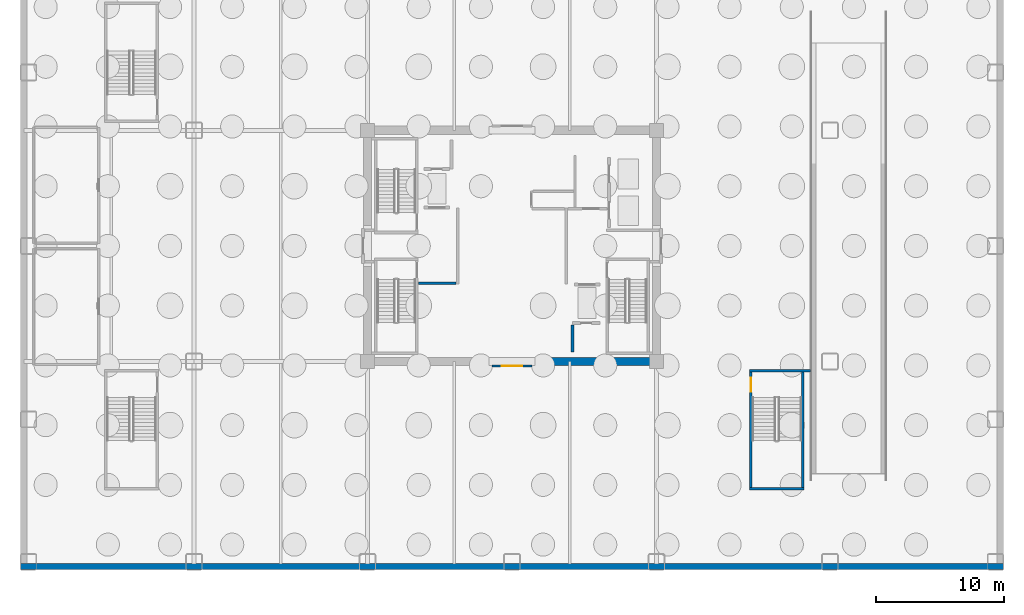
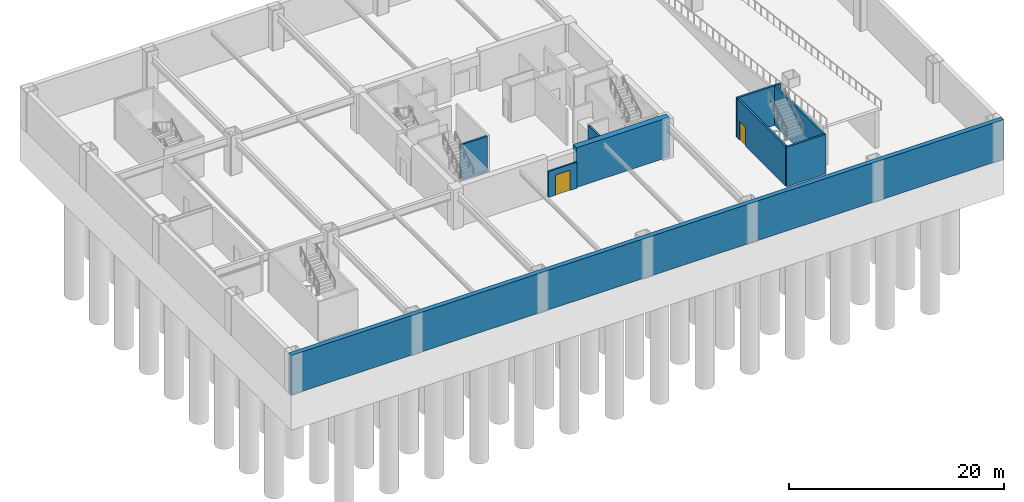
# One storey, part 4 of 11: 9 walls, 2 doors, 2 openings.
"""IFC4 building model written with IfcOpenShell, lengths in metres."""

from ifc_helpers import new_model, si_unit, direction, frame, frame_2d, origin, place, context, subcontext, project, spatial, rectangle, extrude, source, transform, mapped, material, layer, layer_set, type_object, element, fill, save


model = new_model("IFC4")

# Units and contexts
model_context = context("Model", 3, precision=1e-05, world=origin(), true_north=direction((0.0, 1.0)))
body_context = subcontext(model_context, "Body", "Model", "MODEL_VIEW")
ifc_project = project(units=[si_unit("LENGTHUNIT", "METRE"), si_unit("AREAUNIT", "SQUARE_METRE"), si_unit("VOLUMEUNIT", "CUBIC_METRE"), si_unit("PLANEANGLEUNIT", "RADIAN"), si_unit("MASSUNIT", "GRAM", prefix="KILO")], contexts=[model_context])

# Site, building, storey
site_placement = place(None, origin())
site = spatial("IfcSite", under=ifc_project, at=site_placement, CompositionType="ELEMENT")
building_placement = place(site_placement, origin())
building = spatial("IfcBuilding", under=site, at=building_placement, Name="Nefas-Gora Pilgrimage Tower", CompositionType="ELEMENT")
storey_placement = place(building_placement, frame((0.0, 0.0, -9.0)))
storey = spatial("IfcBuildingStorey", under=building, at=storey_placement, Name="B02", CompositionType="ELEMENT", Elevation=-9.0)

# Walls
ifc_material_1 = material(Name="Concrete C60/75", Category="concrete")
ifc_layer_1 = layer(ifc_material_1, 0.64990234375)
ifc_layer_set_1 = layer_set([ifc_layer_1], Name="Concrete C60/75")
wall_type_1 = type_object("IfcWallType", Name="SW-CORE-650", PredefinedType="SHEAR", material=ifc_layer_set_1)
shared_shape_1 = source(origin(), body_context, "Body", "SweptSolid", [
    extrude(rectangle(XDim=10.02490234375, YDim=0.64990234375, at=frame_2d((5.012451171875, 0.0))), origin(), (0.0, 0.0, 1.0), 4.5),
])
wall_1_placement = place(storey_placement, frame((1.550048828125, -9.0, 0.0), z_axis=(0.0, 0.0, 1.0), x_axis=(1.0, 0.0, 0.0)))
element("IfcWall", 1, at=wall_1_placement, inside=storey, type_object=wall_type_1, Name="B02 Core Shear Wall S-East", PredefinedType="SHEAR", context=body_context, shape_type="MappedRepresentation", body=[
    mapped(shared_shape_1, transform((0.0, 0.0, 0.0), x_axis=(1.0, 0.0, 0.0), y_axis=(0.0, 1.0, 0.0), z_axis=(0.0, 0.0, 1.0), scale=1.0)),
])
ifc_material_2 = material(Name="Concrete C50/60", Category="concrete")
ifc_layer_2 = layer(ifc_material_2, 0.5)
ifc_layer_set_2 = layer_set([ifc_layer_2], Name="Concrete C50/60")
wall_type_2 = type_object("IfcWallType", Name="RW-BSMT-500", PredefinedType="SOLIDWALL", material=ifc_layer_set_2)
shared_shape_2 = source(origin(), body_context, "Body", "SweptSolid", [
    extrude(rectangle(XDim=76.5, YDim=0.5, at=frame_2d((38.25, 0.0))), origin(), (0.0, 0.0, 1.0), 4.5),
])
wall_2_placement = place(storey_placement, frame((-38.25, -24.949951171875, 0.0), z_axis=(0.0, 0.0, 1.0), x_axis=(1.0, 0.0, 0.0)))
element("IfcWall", 2, at=wall_2_placement, inside=storey, type_object=wall_type_2, Name="B02 South Retaining Wall", PredefinedType="SOLIDWALL", context=body_context, shape_type="MappedRepresentation", body=[
    mapped(shared_shape_2, transform((0.0, 0.0, 0.0), x_axis=(1.0, 0.0, 0.0), y_axis=(0.0, 1.0, 0.0), z_axis=(0.0, 0.0, 1.0), scale=1.0)),
])
ifc_material_3 = material(Name="Concrete C45/55", Category="concrete")
ifc_layer_3 = layer(ifc_material_3, 0.199951171875)
ifc_layer_set_3 = layer_set([ifc_layer_3], Name="Concrete C45/55")
wall_type_3 = type_object("IfcWallType", Name="IW-STAIR-200", PredefinedType="SOLIDWALL", material=ifc_layer_set_3)
shared_shape_3 = source(origin(), body_context, "Body", "SweptSolid", [
    extrude(rectangle(XDim=4.239990234375, YDim=0.199951171875, at=frame_2d((2.1201171875, 0.0))), origin(), (0.0, 0.0, 1.0), 4.5),
])
wall_3_placement = place(storey_placement, frame((18.5, -18.89990234375, 0.0), z_axis=(0.0, 0.0, 1.0), x_axis=(1.0, 0.0, 0.0)))
element("IfcWall", 3, at=wall_3_placement, inside=storey, type_object=wall_type_3, Name="B02 Stairwell Shear Wall ST-06-far", PredefinedType="SOLIDWALL", context=body_context, shape_type="MappedRepresentation", body=[
    mapped(shared_shape_3, transform((0.0, 0.0, 0.0), x_axis=(1.0, 0.0, 0.0), y_axis=(0.0, 1.0, 0.0), z_axis=(0.0, 0.0, 1.0), scale=1.0)),
])

# Wall, opening, door
shared_shape_4 = source(origin(), body_context, "Body", "SweptSolid", [
    extrude(rectangle(XDim=9.0, YDim=0.199951171875, at=frame_2d((4.5, 0.0))), origin(), (0.0, 0.0, 1.0), 4.5),
])
wall_4_placement = place(storey_placement, frame((18.60009765625, -9.800048828125, 0.0), z_axis=(0.0, 0.0, 1.0), x_axis=(0.0, -1.0, 0.0)))
wall_4 = element("IfcWall", 4, at=wall_4_placement, inside=storey, type_object=wall_type_3, Name="B02 Stairwell Shear Wall ST-06-left", PredefinedType="SOLIDWALL", context=body_context, shape_type="MappedRepresentation", body=[
    mapped(shared_shape_4, transform((0.0, 0.0, 0.0), x_axis=(1.0, 0.0, 0.0), y_axis=(0.0, 1.0, 0.0), z_axis=(0.0, 0.0, 1.0), scale=1.0)),
])
opening_1_placement = place(wall_4_placement, frame((0.449951171875, 0.0, 0.0)))
opening_1 = element("IfcOpeningElement", 5, at=opening_1_placement, cuts=wall_4, Name="Opening ID-ST1", PredefinedType="OPENING", context=body_context, shape_type="SweptSolid", body=[
    extrude(rectangle(XDim=1.10009765625, YDim=2.14990234375, at=frame_2d((0.550048828125, 1.074951171875))), frame((0.0, 0.10986328125, 0.0), z_axis=(0.0, -1.0, 0.0), x_axis=(1.0, 0.0, 0.0)), (0.0, 0.0, 1.0), 0.219970703125),
])
ifc_material_4 = material(Name="Painted galvanised steel fire stair door", Category="steel")
door_type_1 = type_object("IfcDoorType", Name="DR-INT-STAIR-1100", OperationType="NOTDEFINED", PredefinedType="DOOR", material=ifc_material_4)
shared_shape_5 = source(origin(), body_context, "Body", "SweptSolid", [
    extrude(rectangle(XDim=1.10009765625, YDim=2.14990234375, at=frame_2d((0.550048828125, 1.074951171875))), frame((0.0, 0.02490234375, 0.0), z_axis=(0.0, -1.0, 0.0), x_axis=(1.0, 0.0, 0.0)), (0.0, 0.0, 1.0), 0.050048828125),
])
door_1_placement = place(opening_1_placement, origin())
door_1 = element("IfcDoor", 6, at=door_1_placement, inside=storey, type_object=door_type_1, Name="B02 Protected Exit Stair Door ST-06", OperationType="SINGLE_SWING_RIGHT", OverallHeight=2.14990234375, OverallWidth=1.10009765625, PredefinedType="DOOR", context=body_context, shape_type="MappedRepresentation", body=[
    mapped(shared_shape_5, transform((0.0, 0.0, 0.0), x_axis=(1.0, 0.0, 0.0), y_axis=(0.0, 1.0, 0.0), z_axis=(0.0, 0.0, 1.0), scale=1.0)),
])
fill(opening_1, door_1)

# Walls
wall_5_placement = place(storey_placement, frame((22.639892578125, -9.800048828125, 0.0), z_axis=(0.0, 0.0, 1.0), x_axis=(0.0, -1.0, 0.0)))
element("IfcWall", 7, at=wall_5_placement, inside=storey, type_object=wall_type_3, Name="B02 Stairwell Shear Wall ST-06-right", PredefinedType="SOLIDWALL", context=body_context, shape_type="MappedRepresentation", body=[
    mapped(shared_shape_4, transform((0.0, 0.0, 0.0), x_axis=(1.0, 0.0, 0.0), y_axis=(0.0, 1.0, 0.0), z_axis=(0.0, 0.0, 1.0), scale=1.0)),
])
shared_shape_6 = source(origin(), body_context, "Body", "SweptSolid", [
    extrude(rectangle(XDim=4.72998046875, YDim=0.199951171875, at=frame_2d((2.364990234375, 0.0))), origin(), (0.0, 0.0, 1.0), 4.5),
])
wall_6_placement = place(storey_placement, frame((18.5, -9.699951171875, 0.0), z_axis=(0.0, 0.0, 1.0), x_axis=(1.0, 0.0, 0.0)))
element("IfcWall", 8, at=wall_6_placement, inside=storey, type_object=wall_type_3, Name="B02 Stairwell Shear Wall ST-06-near", PredefinedType="SOLIDWALL", context=body_context, shape_type="MappedRepresentation", body=[
    mapped(shared_shape_6, transform((0.0, 0.0, 0.0), x_axis=(1.0, 0.0, 0.0), y_axis=(0.0, 1.0, 0.0), z_axis=(0.0, 0.0, 1.0), scale=1.0)),
])
ifc_material_5 = material(Name="Concrete C40/50", Category="concrete")
ifc_layer_4 = layer(ifc_material_5, 0.219970703125)
ifc_layer_set_4 = layer_set([ifc_layer_4], Name="Concrete C40/50")
wall_type_4 = type_object("IfcWallType", Name="IW-SHAFT-220", PredefinedType="SOLIDWALL", material=ifc_layer_set_4)
shared_shape_7 = source(origin(), body_context, "Body", "SweptSolid", [
    extrude(rectangle(XDim=2.10009765625, YDim=0.219970703125, at=frame_2d((1.050048828125, 0.0))), origin(), (0.0, 0.0, 1.0), 4.06494140625),
])
wall_7_placement = place(storey_placement, frame((4.719970703125, -8.25, 0.0), z_axis=(0.0, 0.0, 1.0), x_axis=(0.0, 1.0, 0.0)))
element("IfcWall", 9, at=wall_7_placement, inside=storey, type_object=wall_type_4, Name="B02 Riser Shaft Wall 4", PredefinedType="SOLIDWALL", context=body_context, shape_type="MappedRepresentation", body=[
    mapped(shared_shape_7, transform((0.0, 0.0, 0.0), x_axis=(1.0, 0.0, 0.0), y_axis=(0.0, 1.0, 0.0), z_axis=(0.0, 0.0, 1.0), scale=1.0)),
])
ifc_material_6 = material(Name="Gypsum fire-rated shaftwall")
ifc_layer_5 = layer(ifc_material_6, 0.199951171875)
ifc_layer_set_5 = layer_set([ifc_layer_5], Name="Gypsum fire-rated shaftwall")
wall_type_5 = type_object("IfcWallType", Name="IW-FFLOB-200", PredefinedType="PARTITIONING", material=ifc_layer_set_5)
shared_shape_8 = source(origin(), body_context, "Body", "SweptSolid", [
    extrude(rectangle(XDim=2.89990234375, YDim=0.199951171875, at=frame_2d((1.449951171875, 0.0))), origin(), (0.0, 0.0, 1.0), 4.06494140625),
])
wall_8_placement = place(storey_placement, frame((-7.260009765625, -2.89990234375, 0.0), z_axis=(0.0, 0.0, 1.0), x_axis=(1.0, 0.0, 0.0)))
element("IfcWall", 10, at=wall_8_placement, inside=storey, type_object=wall_type_5, Name="B02 FF Lobby West South Wall Wall 7", PredefinedType="PARTITIONING", context=body_context, shape_type="MappedRepresentation", body=[
    mapped(shared_shape_8, transform((0.0, 0.0, 0.0), x_axis=(1.0, 0.0, 0.0), y_axis=(0.0, 1.0, 0.0), z_axis=(0.0, 0.0, 1.0), scale=1.0)),
])

# Wall, opening, door
ifc_material_7 = material(Name="Gypsum acoustic stud partition")
ifc_layer_6 = layer(ifc_material_7, 0.159912109375)
ifc_layer_set_6 = layer_set([ifc_layer_6], Name="Gypsum acoustic stud partition")
wall_type_6 = type_object("IfcWallType", Name="IW-CORR-160", PredefinedType="PARTITIONING", material=ifc_layer_set_6)
shared_shape_9 = source(origin(), body_context, "Body", "SweptSolid", [
    extrude(rectangle(XDim=3.08984375, YDim=0.159912109375, at=frame_2d((1.544921875, 0.0))), origin(), (0.0, 0.0, 1.0), 2.955078125),
])
wall_9_placement = place(storey_placement, frame((-1.544921875, -9.35009765625, 0.0), z_axis=(0.0, 0.0, 1.0), x_axis=(1.0, 0.0, 0.0)))
wall_9 = element("IfcWall", 11, at=wall_9_placement, inside=storey, type_object=wall_type_6, Name="B02 Central Lift Lobby South Portal Wall 17", PredefinedType="PARTITIONING", context=body_context, shape_type="MappedRepresentation", body=[
    mapped(shared_shape_9, transform((0.0, 0.0, 0.0), x_axis=(1.0, 0.0, 0.0), y_axis=(0.0, 1.0, 0.0), z_axis=(0.0, 0.0, 1.0), scale=1.0)),
])
opening_2_placement = place(wall_9_placement, frame((0.7451171875, 0.0, 0.0)))
opening_2 = element("IfcOpeningElement", 12, at=opening_2_placement, cuts=wall_9, Name="Opening ID-HL1", PredefinedType="OPENING", context=body_context, shape_type="SweptSolid", body=[
    extrude(rectangle(XDim=1.60009765625, YDim=2.300048828125, at=frame_2d((0.800048828125, 1.14990234375))), frame((0.0, 0.08984375, 0.0), z_axis=(0.0, -1.0, 0.0), x_axis=(1.0, 0.0, 0.0)), (0.0, 0.0, 1.0), 0.179931640625),
])
ifc_material_8 = material(Name="Double acoustic timber assembly hall door", Category="wood")
door_type_2 = type_object("IfcDoorType", Name="DR-INT-HALL-1600", OperationType="DOUBLE_DOOR_SINGLE_SWING", PredefinedType="DOOR", material=ifc_material_8)
shared_shape_10 = source(origin(), body_context, "Body", "SweptSolid", [
    extrude(rectangle(XDim=1.60009765625, YDim=2.300048828125, at=frame_2d((0.800048828125, 1.14990234375))), frame((0.0, 0.02490234375, 0.0), z_axis=(0.0, -1.0, 0.0), x_axis=(1.0, 0.0, 0.0)), (0.0, 0.0, 1.0), 0.050048828125),
])
door_2_placement = place(opening_2_placement, origin())
door_2 = element("IfcDoor", 13, at=door_2_placement, inside=storey, type_object=door_type_2, Name="B02 Central Lift Lobby South Portal Door 7", OperationType="DOUBLE_DOOR_SINGLE_SWING", OverallHeight=2.300048828125, OverallWidth=1.60009765625, PredefinedType="DOOR", context=body_context, shape_type="MappedRepresentation", body=[
    mapped(shared_shape_10, transform((0.0, 0.0, 0.0), x_axis=(1.0, 0.0, 0.0), y_axis=(0.0, 1.0, 0.0), z_axis=(0.0, 0.0, 1.0), scale=1.0)),
])
fill(opening_2, door_2)

save(model, "model.ifc")
